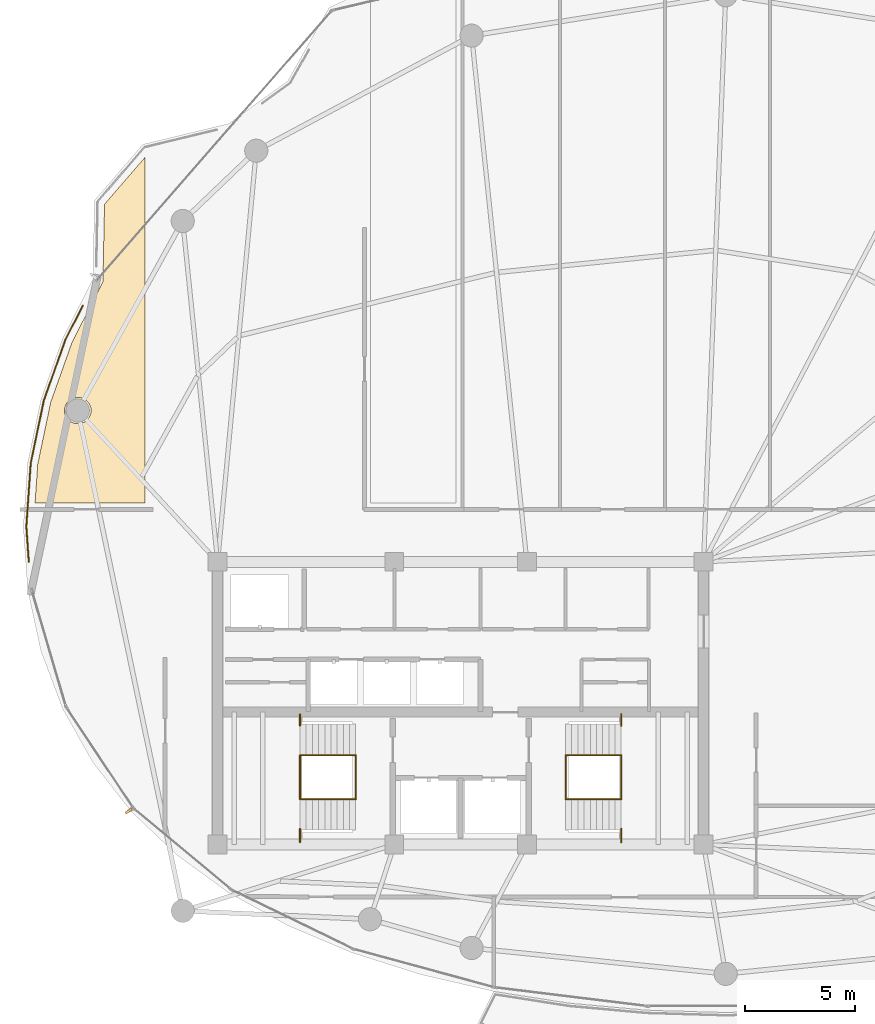
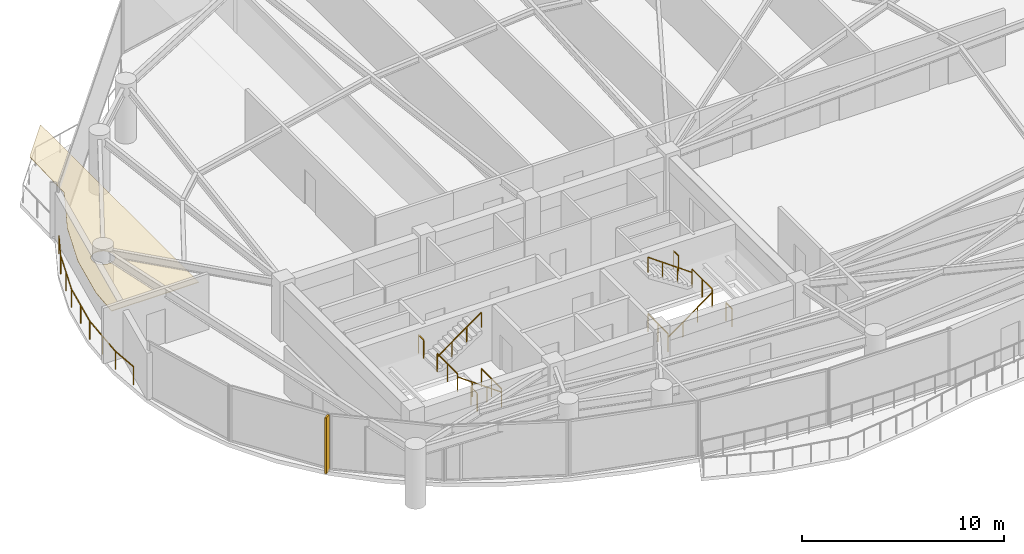
# One storey, part 26 of 28: 13 railings, 1 covering, 1 shading device.
"""IFC4 building model written with IfcOpenShell, lengths in metres."""

from ifc_helpers import new_model, si_unit, direction, frame, origin, origin_2d, place, context, subcontext, project, spatial, polyline, rectangle, outline, extrude, material, layer, layer_set, type_object, element, save


model = new_model("IFC4")

# Units and contexts
model_context = context("Model", 3, precision=1e-05, world=origin(), true_north=direction((0.0, 1.0)))
body_context = subcontext(model_context, "Body", "Model", "MODEL_VIEW")
ifc_project = project(units=[si_unit("LENGTHUNIT", "METRE"), si_unit("AREAUNIT", "SQUARE_METRE"), si_unit("VOLUMEUNIT", "CUBIC_METRE"), si_unit("PLANEANGLEUNIT", "RADIAN"), si_unit("MASSUNIT", "GRAM", prefix="KILO")], contexts=[model_context])

# Site, building, storey
site_placement = place(None, origin())
site = spatial("IfcSite", under=ifc_project, at=site_placement, CompositionType="ELEMENT")
building_placement = place(site_placement, origin())
building = spatial("IfcBuilding", under=site, at=building_placement, Name="Kazevale Care Tower and Concert Hall", CompositionType="ELEMENT")
storey_placement = place(building_placement, frame((0.0, 0.0, 246.0)))
storey = spatial("IfcBuildingStorey", under=building, at=storey_placement, Name="L65", CompositionType="ELEMENT", Elevation=246.0)

# Covering
ifc_material_1 = material(Name="Acoustic Plaster and Hinoki Wood", Category="wood")
ifc_layer = layer(ifc_material_1, 0.0400390625)
ifc_layer_set = layer_set([ifc_layer], Name="Acoustic Plaster and Hinoki Wood")
covering_type = type_object("IfcCoveringType", Name="Acoustic Perforated Wood-Gypsum Ceiling", PredefinedType="CEILING", material=ifc_layer_set)
covering_placement = place(storey_placement, frame((0.0, 0.0, 2.7099609375)))
element("IfcCovering", 1, at=covering_placement, inside=storey, type_object=covering_type, Name="clg:L65:1", PredefinedType="CEILING", context=body_context, shape_type="SweptSolid", body=[
    extrude(outline(polyline([(14.44091796875, 43.615966796875), (15.407958984375, 46.339111328125), (16.806884765625, 49.0791015625), (16.8798828125, 52.589111328125), (18.719970703125, 54.720947265625), (18.719970703125, 39.054931640625), (13.73388671875, 39.054931640625), (13.85693359375, 40.824951171875), (14.44091796875, 43.615966796875)]), holes=[polyline([(16.262939453125, 43.367919921875), (16.173095703125, 43.5859375), (16.006103515625, 43.7529296875), (15.7880859375, 43.843017578125), (15.552001953125, 43.843017578125), (15.333984375, 43.7529296875), (15.1669921875, 43.5859375), (15.076904296875, 43.367919921875), (15.076904296875, 43.132080078125), (15.1669921875, 42.9140625), (15.333984375, 42.7470703125), (15.552001953125, 42.656982421875), (15.7880859375, 42.656982421875), (16.006103515625, 42.7470703125), (16.173095703125, 42.9140625), (16.262939453125, 43.132080078125), (16.262939453125, 43.367919921875)])]), origin(), (0.0, 0.0, 1.0), 0.0400390625),
])

# Railings
ifc_material_2 = material(Name="Anodised Bronze Aluminium and Laminated Glass", Category="aluminium")
railing_type_1 = type_object("IfcRailingType", Name="Balcony and Terrace Balustrade 1120", PredefinedType="BALUSTRADE", material=ifc_material_2)
railing_1_placement = place(storey_placement, frame((13.451904296875, 36.39892578125, 0.0)))
element("IfcRailing", 2, at=railing_1_placement, inside=storey, type_object=railing_type_1, Name="rail:L65:perim:1", PredefinedType="BALUSTRADE", context=body_context, shape_type="SweptSolid", body=[
    extrude(rectangle(XDim=0.048095703125, YDim=0.048095703125, at=origin_2d()), frame((0.0, 0.0, 1.09619140625), z_axis=(-0.069668671127, 0.997570186134, 0.0), x_axis=(-0.997570186134, -0.069668671127, 0.0)), (0.0, 0.0, 1.0), 1.60498046875),
    extrude(rectangle(XDim=0.048095703125, YDim=0.048095703125, at=origin_2d()), frame((-0.11181640625, 1.60107421875, 1.09619140625), z_axis=(0.069189590327, 0.997603528758, 0.0), x_axis=(-0.997603528758, 0.069189590327, 0.0)), (0.0, 0.0, 1.0), 2.875732421875),
    extrude(rectangle(XDim=0.048095703125, YDim=0.048095703125, at=origin_2d()), frame((0.087158203125, 4.469970703125, 1.09619140625), z_axis=(0.204816187417, 0.978800454317, 0.0), x_axis=(-0.978800454317, 0.204816187417, 0.0)), (0.0, 0.0, 1.0), 2.895263671875),
    extrude(rectangle(XDim=0.048095703125, YDim=0.048095703125, at=origin_2d()), frame((0.68017578125, 7.303955078125, 1.09619140625), z_axis=(0.334552974602, 0.942376945381, 0.0), x_axis=(-0.942376945381, 0.334552974602, 0.0)), (0.0, 0.0, 1.0), 2.93212890625),
    extrude(rectangle(XDim=0.048095703125, YDim=0.048095703125, at=origin_2d()), frame((1.6611328125, 10.067138671875, 1.09619140625), z_axis=(0.455056261721, 0.890462687971, 0.0), x_axis=(-0.890462687971, 0.455056261721, 0.0)), (0.0, 0.0, 1.0), 1.72705078125),
    extrude(rectangle(XDim=0.0419921875, YDim=0.0419921875, at=origin_2d()), origin(), (0.0, 0.0, 1.0), 1.072021484375),
    extrude(rectangle(XDim=0.0419921875, YDim=0.0419921875, at=origin_2d()), frame((-0.11181640625, 1.60107421875, 0.0)), (0.0, 0.0, 1.0), 1.072021484375),
    extrude(rectangle(XDim=0.0419921875, YDim=0.0419921875, at=origin_2d()), frame((-0.01220703125, 3.03564453125, 0.0)), (0.0, 0.0, 1.0), 1.072021484375),
    extrude(rectangle(XDim=0.0419921875, YDim=0.0419921875, at=origin_2d()), frame((0.087158203125, 4.469970703125, 0.0)), (0.0, 0.0, 1.0), 1.072021484375),
    extrude(rectangle(XDim=0.0419921875, YDim=0.0419921875, at=origin_2d()), frame((0.3837890625, 5.886962890625, 0.0)), (0.0, 0.0, 1.0), 1.072021484375),
    extrude(rectangle(XDim=0.0419921875, YDim=0.0419921875, at=origin_2d()), frame((0.68017578125, 7.303955078125, 0.0)), (0.0, 0.0, 1.0), 1.072021484375),
    extrude(rectangle(XDim=0.0419921875, YDim=0.0419921875, at=origin_2d()), frame((1.170654296875, 8.685546875, 0.0)), (0.0, 0.0, 1.0), 1.072021484375),
    extrude(rectangle(XDim=0.0419921875, YDim=0.0419921875, at=origin_2d()), frame((1.6611328125, 10.067138671875, 0.0)), (0.0, 0.0, 1.0), 1.072021484375),
    extrude(rectangle(XDim=0.0419921875, YDim=0.0419921875, at=origin_2d()), frame((2.447021484375, 11.60498046875, 0.0)), (0.0, 0.0, 1.0), 1.072021484375),
])
ifc_material_3 = material(Name="Stainless Steel 316", Category="steel")
railing_type_2 = type_object("IfcRailingType", Name="Stair Pitch Handrail 920", PredefinedType="HANDRAIL", material=ifc_material_3)
railing_2_placement = place(storey_placement, frame((28.25, 25.64990234375, 0.0)))
element("IfcRailing", 3, at=railing_2_placement, inside=storey, type_object=railing_type_2, Name="stair:L65:ST1:hr1", PredefinedType="HANDRAIL", context=body_context, shape_type="SweptSolid", body=[
    extrude(rectangle(XDim=0.048095703125, YDim=0.048095703125, at=origin_2d()), frame((0.0, 0.0, 0.89599609375), z_axis=(-0.813728144527, 0.0, 0.581245650998), x_axis=(0.0, -1.0, 0.0)), (0.0, 0.0, 1.0), 3.096923828125),
    extrude(rectangle(XDim=0.0419921875, YDim=0.0419921875, at=origin_2d()), origin(), (0.0, 0.0, 1.0), 0.871826171875),
    extrude(rectangle(XDim=0.0419921875, YDim=0.0419921875, at=origin_2d()), frame((-0.840087890625, 0.0, 0.60009765625)), (0.0, 0.0, 1.0), 0.871826171875),
    extrude(rectangle(XDim=0.0419921875, YDim=0.0419921875, at=origin_2d()), frame((-1.679931640625, 0.0, 1.199951171875)), (0.0, 0.0, 1.0), 0.871826171875),
    extrude(rectangle(XDim=0.0419921875, YDim=0.0419921875, at=origin_2d()), frame((-2.52001953125, 0.0, 1.800048828125)), (0.0, 0.0, 1.0), 0.871826171875),
])
for number, where, name in (
    (4, (25.72998046875, 27.64990234375, 1.800048828125), "stair:L65:ST1:hr2"),
    (5, (37.75, 25.64990234375, 0.0), "stair:L65:ST2:hr1"),
):
    element("IfcRailing", number, at=place(storey_placement, frame(where)), inside=storey, type_object=railing_type_2, Name=name, PredefinedType="HANDRAIL", context=body_context, shape_type="SweptSolid", body=[
        extrude(rectangle(XDim=0.048095703125, YDim=0.048095703125, at=origin_2d()), frame((0.0, 0.0, 0.89599609375), z_axis=(0.813728144527, 0.0, 0.581245650998), x_axis=(0.0, 1.0, 0.0)), (0.0, 0.0, 1.0), 3.096923828125),
        extrude(rectangle(XDim=0.0419921875, YDim=0.0419921875, at=origin_2d()), origin(), (0.0, 0.0, 1.0), 0.871826171875),
        extrude(rectangle(XDim=0.0419921875, YDim=0.0419921875, at=origin_2d()), frame((0.840087890625, 0.0, 0.60009765625)), (0.0, 0.0, 1.0), 0.871826171875),
        extrude(rectangle(XDim=0.0419921875, YDim=0.0419921875, at=origin_2d()), frame((1.679931640625, 0.0, 1.199951171875)), (0.0, 0.0, 1.0), 0.871826171875),
        extrude(rectangle(XDim=0.0419921875, YDim=0.0419921875, at=origin_2d()), frame((2.52001953125, 0.0, 1.800048828125)), (0.0, 0.0, 1.0), 0.871826171875),
    ])
railing_3_placement = place(storey_placement, frame((40.27001953125, 27.64990234375, 1.800048828125)))
element("IfcRailing", 6, at=railing_3_placement, inside=storey, type_object=railing_type_2, Name="stair:L65:ST2:hr2", PredefinedType="HANDRAIL", context=body_context, shape_type="SweptSolid", body=[
    extrude(rectangle(XDim=0.048095703125, YDim=0.048095703125, at=origin_2d()), frame((0.0, 0.0, 0.89599609375), z_axis=(-0.813728144527, 0.0, 0.581245650998), x_axis=(0.0, -1.0, 0.0)), (0.0, 0.0, 1.0), 3.096923828125),
    extrude(rectangle(XDim=0.0419921875, YDim=0.0419921875, at=origin_2d()), origin(), (0.0, 0.0, 1.0), 0.871826171875),
    extrude(rectangle(XDim=0.0419921875, YDim=0.0419921875, at=origin_2d()), frame((-0.840087890625, 0.0, 0.60009765625)), (0.0, 0.0, 1.0), 0.871826171875),
    extrude(rectangle(XDim=0.0419921875, YDim=0.0419921875, at=origin_2d()), frame((-1.679931640625, 0.0, 1.199951171875)), (0.0, 0.0, 1.0), 0.871826171875),
    extrude(rectangle(XDim=0.0419921875, YDim=0.0419921875, at=origin_2d()), frame((-2.52001953125, 0.0, 1.800048828125)), (0.0, 0.0, 1.0), 0.871826171875),
])
railing_type_3 = type_object("IfcRailingType", Name="Stair Well Guard Balustrade 1120", PredefinedType="BALUSTRADE", material=ifc_material_3)
railing_4_placement = place(storey_placement, frame((25.72998046875, 23.699951171875, 1.800048828125)))
element("IfcRailing", 7, at=railing_4_placement, inside=storey, type_object=railing_type_3, Name="stair:L65:ST1:grd_side1", PredefinedType="BALUSTRADE", context=body_context, shape_type="SweptSolid", body=[
    extrude(rectangle(XDim=0.048095703125, YDim=0.048095703125, at=origin_2d()), frame((0.0, 0.0, 1.09619140625), z_axis=(0.0, 1.0, 0.0), x_axis=(-1.0, 0.0, 0.0)), (0.0, 0.0, 1.0), 0.610107421875),
    extrude(rectangle(XDim=0.0419921875, YDim=0.0419921875, at=origin_2d()), origin(), (0.0, 0.0, 1.0), 1.072021484375),
    extrude(rectangle(XDim=0.0419921875, YDim=0.0419921875, at=origin_2d()), frame((0.0, 0.610107421875, 0.0)), (0.0, 0.0, 1.0), 1.072021484375),
])
railing_5_placement = place(storey_placement, frame((25.72998046875, 28.989990234375, 1.800048828125)))
element("IfcRailing", 8, at=railing_5_placement, inside=storey, type_object=railing_type_3, Name="stair:L65:ST1:grd_side2", PredefinedType="BALUSTRADE", context=body_context, shape_type="SweptSolid", body=[
    extrude(rectangle(XDim=0.048095703125, YDim=0.048095703125, at=origin_2d()), frame((0.0, 0.0, 1.09619140625), z_axis=(0.0, 1.0, 0.0), x_axis=(-1.0, 0.0, 0.0)), (0.0, 0.0, 1.0), 0.510009765625),
    extrude(rectangle(XDim=0.0419921875, YDim=0.0419921875, at=origin_2d()), origin(), (0.0, 0.0, 1.0), 1.072021484375),
    extrude(rectangle(XDim=0.0419921875, YDim=0.0419921875, at=origin_2d()), frame((0.0, 0.510009765625, 0.0)), (0.0, 0.0, 1.0), 1.072021484375),
])
for number, where, name in (
    (9, (25.72998046875, 25.64990234375, 1.800048828125), "stair:L65:ST1:grd_mid"),
    (10, (28.25, 25.64990234375, 0.0), "stair:L65:ST1:grd_flr"),
):
    element("IfcRailing", number, at=place(storey_placement, frame(where)), inside=storey, type_object=railing_type_3, Name=name, PredefinedType="BALUSTRADE", context=body_context, shape_type="SweptSolid", body=[
        extrude(rectangle(XDim=0.048095703125, YDim=0.048095703125, at=origin_2d()), frame((0.0, 0.0, 1.09619140625), z_axis=(0.0, 1.0, 0.0), x_axis=(-1.0, 0.0, 0.0)), (0.0, 0.0, 1.0), 2.0),
        extrude(rectangle(XDim=0.0419921875, YDim=0.0419921875, at=origin_2d()), origin(), (0.0, 0.0, 1.0), 1.072021484375),
        extrude(rectangle(XDim=0.0419921875, YDim=0.0419921875, at=origin_2d()), frame((0.0, 1.0, 0.0)), (0.0, 0.0, 1.0), 1.072021484375),
        extrude(rectangle(XDim=0.0419921875, YDim=0.0419921875, at=origin_2d()), frame((0.0, 2.0, 0.0)), (0.0, 0.0, 1.0), 1.072021484375),
    ])
railing_6_placement = place(storey_placement, frame((40.27001953125, 23.699951171875, 1.800048828125)))
element("IfcRailing", 11, at=railing_6_placement, inside=storey, type_object=railing_type_3, Name="stair:L65:ST2:grd_side1", PredefinedType="BALUSTRADE", context=body_context, shape_type="SweptSolid", body=[
    extrude(rectangle(XDim=0.048095703125, YDim=0.048095703125, at=origin_2d()), frame((0.0, 0.0, 1.09619140625), z_axis=(0.0, 1.0, 0.0), x_axis=(-1.0, 0.0, 0.0)), (0.0, 0.0, 1.0), 0.610107421875),
    extrude(rectangle(XDim=0.0419921875, YDim=0.0419921875, at=origin_2d()), origin(), (0.0, 0.0, 1.0), 1.072021484375),
    extrude(rectangle(XDim=0.0419921875, YDim=0.0419921875, at=origin_2d()), frame((0.0, 0.610107421875, 0.0)), (0.0, 0.0, 1.0), 1.072021484375),
])
railing_7_placement = place(storey_placement, frame((40.27001953125, 28.989990234375, 1.800048828125)))
element("IfcRailing", 12, at=railing_7_placement, inside=storey, type_object=railing_type_3, Name="stair:L65:ST2:grd_side2", PredefinedType="BALUSTRADE", context=body_context, shape_type="SweptSolid", body=[
    extrude(rectangle(XDim=0.048095703125, YDim=0.048095703125, at=origin_2d()), frame((0.0, 0.0, 1.09619140625), z_axis=(0.0, 1.0, 0.0), x_axis=(-1.0, 0.0, 0.0)), (0.0, 0.0, 1.0), 0.510009765625),
    extrude(rectangle(XDim=0.0419921875, YDim=0.0419921875, at=origin_2d()), origin(), (0.0, 0.0, 1.0), 1.072021484375),
    extrude(rectangle(XDim=0.0419921875, YDim=0.0419921875, at=origin_2d()), frame((0.0, 0.510009765625, 0.0)), (0.0, 0.0, 1.0), 1.072021484375),
])
for number, where, name in (
    (13, (40.27001953125, 25.64990234375, 1.800048828125), "stair:L65:ST2:grd_mid"),
    (14, (37.75, 25.64990234375, 0.0), "stair:L65:ST2:grd_flr"),
):
    element("IfcRailing", number, at=place(storey_placement, frame(where)), inside=storey, type_object=railing_type_3, Name=name, PredefinedType="BALUSTRADE", context=body_context, shape_type="SweptSolid", body=[
        extrude(rectangle(XDim=0.048095703125, YDim=0.048095703125, at=origin_2d()), frame((0.0, 0.0, 1.09619140625), z_axis=(0.0, 1.0, 0.0), x_axis=(-1.0, 0.0, 0.0)), (0.0, 0.0, 1.0), 2.0),
        extrude(rectangle(XDim=0.0419921875, YDim=0.0419921875, at=origin_2d()), origin(), (0.0, 0.0, 1.0), 1.072021484375),
        extrude(rectangle(XDim=0.0419921875, YDim=0.0419921875, at=origin_2d()), frame((0.0, 1.0, 0.0)), (0.0, 0.0, 1.0), 1.072021484375),
        extrude(rectangle(XDim=0.0419921875, YDim=0.0419921875, at=origin_2d()), frame((0.0, 2.0, 0.0)), (0.0, 0.0, 1.0), 1.072021484375),
    ])

# Shading device
ifc_material_4 = material(Name="Anodised Bronze Aluminium", Category="aluminium")
shading_device_type = type_object("IfcShadingDeviceType", Name="Waist Anodised Bronze-Stone Fin FIN-02", PredefinedType="USERDEFINED", material=ifc_material_4)
shading_device_placement = place(storey_placement, frame((17.972900390625, 25.121337890625, 0.0), z_axis=(0.0, 0.0, 1.0), x_axis=(-0.832147748683, -0.554553986878, 0.0)))
element("IfcShadingDevice", 15, at=shading_device_placement, inside=storey, type_object=shading_device_type, Name="cw:L65:f11:fin", ObjectType="FIN", PredefinedType="USERDEFINED", context=body_context, shape_type="SweptSolid", body=[
    extrude(rectangle(XDim=0.340087890625, YDim=0.10009765625, at=origin_2d()), origin(), (0.0, 0.0, 1.0), 3.360107421875),
])

save(model, "model.ifc")
